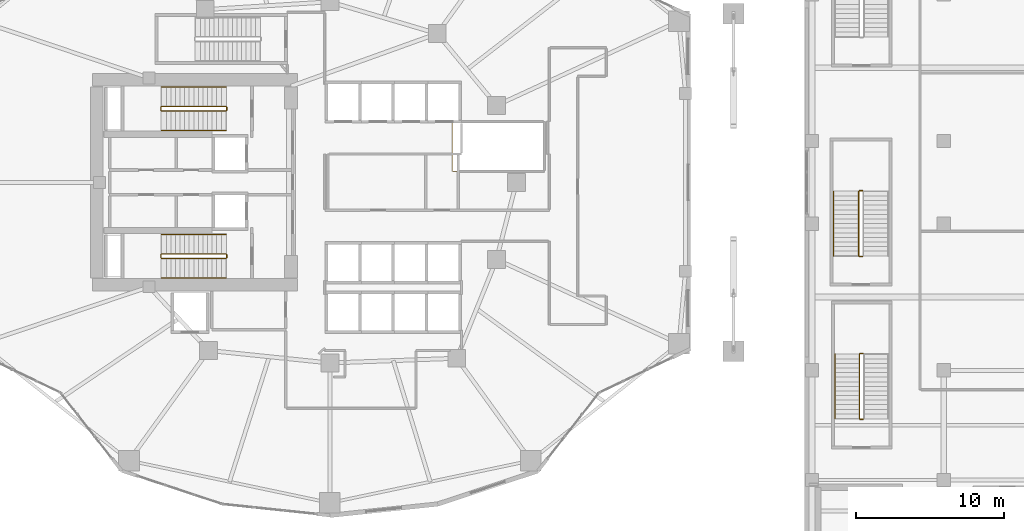
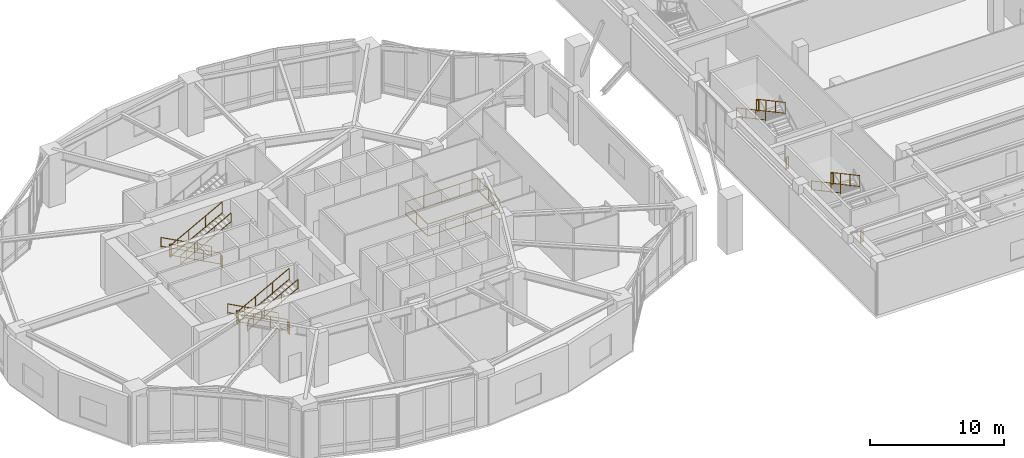
# One storey, part 22 of 24: 21 railings.
"""IFC4 building model written with IfcOpenShell, lengths in metres."""

from ifc_helpers import new_model, si_unit, direction, frame, origin, origin_2d, place, context, subcontext, project, spatial, rectangle, extrude, material, type_object, element, save


model = new_model("IFC4")

# Units and contexts
model_context = context("Model", 3, precision=1e-05, world=origin(), true_north=direction((0.0, 1.0)))
body_context = subcontext(model_context, "Body", "Model", "MODEL_VIEW")
ifc_project = project(units=[si_unit("LENGTHUNIT", "METRE"), si_unit("AREAUNIT", "SQUARE_METRE"), si_unit("VOLUMEUNIT", "CUBIC_METRE"), si_unit("PLANEANGLEUNIT", "RADIAN"), si_unit("MASSUNIT", "GRAM", prefix="KILO")], contexts=[model_context])

# Site, building, storey
site_placement = place(None, origin())
site = spatial("IfcSite", under=ifc_project, at=site_placement, CompositionType="ELEMENT")
building_placement = place(site_placement, origin())
building = spatial("IfcBuilding", under=site, at=building_placement, Name="Kolvaren Gate Tower and Convention Centre", CompositionType="ELEMENT")
storey_placement = place(building_placement, frame((0.0, 0.0, 10.0)))
storey = spatial("IfcBuildingStorey", under=building, at=storey_placement, Name="L02", CompositionType="ELEMENT", Elevation=10.0)

# Railings
ifc_material_1 = material(Name="Laminated Tempered Safety Glass Balustrade 21.5 mm", Category="glass")
railing_type_1 = type_object("IfcRailingType", Name="ARCH-RL-BALUST-1180", PredefinedType="BALUSTRADE", material=ifc_material_1)
railing_1_placement = place(storey_placement, frame((38.39990234375, 27.75, 0.0)))
element("IfcRailing", 1, at=railing_1_placement, inside=storey, type_object=railing_type_1, Name="Tower L02 Atrium Void Safety Balustrade", PredefinedType="BALUSTRADE", context=body_context, shape_type="SweptSolid", body=[
    extrude(rectangle(XDim=0.048095703125, YDim=0.048095703125, at=origin_2d()), frame((0.028076171875, 0.0, 1.15576171875), z_axis=(1.0, 0.0, 0.0), x_axis=(0.0, 1.0, 0.0)), (0.0, 0.0, 1.0), 6.14404296875),
    extrude(rectangle(XDim=0.048095703125, YDim=0.048095703125, at=origin_2d()), frame((0.028076171875, 0.0, 0.083984375), z_axis=(1.0, 0.0, 0.0), x_axis=(0.0, 1.0, 0.0)), (0.0, 0.0, 1.0), 6.14404296875),
    extrude(rectangle(XDim=0.048095703125, YDim=0.048095703125, at=origin_2d()), frame((6.2001953125, 0.028076171875, 1.15576171875), z_axis=(0.0, 1.0, 0.0), x_axis=(-1.0, 0.0, 0.0)), (0.0, 0.0, 1.0), 3.2939453125),
    extrude(rectangle(XDim=0.048095703125, YDim=0.048095703125, at=origin_2d()), frame((6.2001953125, 0.028076171875, 0.083984375), z_axis=(0.0, 1.0, 0.0), x_axis=(-1.0, 0.0, 0.0)), (0.0, 0.0, 1.0), 3.2939453125),
    extrude(rectangle(XDim=0.048095703125, YDim=0.048095703125, at=origin_2d()), frame((6.172119140625, 3.35009765625, 1.15576171875), z_axis=(-1.0, 0.0, 0.0), x_axis=(0.0, -1.0, 0.0)), (0.0, 0.0, 1.0), 6.14404296875),
    extrude(rectangle(XDim=0.048095703125, YDim=0.048095703125, at=origin_2d()), frame((6.172119140625, 3.35009765625, 0.083984375), z_axis=(-1.0, 0.0, 0.0), x_axis=(0.0, -1.0, 0.0)), (0.0, 0.0, 1.0), 6.14404296875),
    extrude(rectangle(XDim=0.048095703125, YDim=0.048095703125, at=origin_2d()), frame((0.0, 3.322021484375, 1.15576171875), z_axis=(0.0, -1.0, 0.0), x_axis=(1.0, 0.0, 0.0)), (0.0, 0.0, 1.0), 3.2939453125),
    extrude(rectangle(XDim=0.048095703125, YDim=0.048095703125, at=origin_2d()), frame((0.0, 3.322021484375, 0.083984375), z_axis=(0.0, -1.0, 0.0), x_axis=(1.0, 0.0, 0.0)), (0.0, 0.0, 1.0), 3.2939453125),
    extrude(rectangle(XDim=0.0419921875, YDim=0.0419921875, at=origin_2d()), origin(), (0.0, 0.0, 1.0), 1.179931640625),
    extrude(rectangle(XDim=0.0419921875, YDim=0.0419921875, at=origin_2d()), frame((6.2001953125, 0.0, 0.0)), (0.0, 0.0, 1.0), 1.179931640625),
    extrude(rectangle(XDim=0.0419921875, YDim=0.0419921875, at=origin_2d()), frame((1.550048828125, 0.0, 0.0)), (0.0, 0.0, 1.0), 1.1298828125),
    extrude(rectangle(XDim=0.0419921875, YDim=0.0419921875, at=origin_2d()), frame((3.10009765625, 0.0, 0.0)), (0.0, 0.0, 1.0), 1.1298828125),
    extrude(rectangle(XDim=0.0419921875, YDim=0.0419921875, at=origin_2d()), frame((4.650146484375, 0.0, 0.0)), (0.0, 0.0, 1.0), 1.1298828125),
    extrude(rectangle(XDim=0.0419921875, YDim=0.0419921875, at=origin_2d()), frame((6.2001953125, 3.35009765625, 0.0)), (0.0, 0.0, 1.0), 1.179931640625),
    extrude(rectangle(XDim=0.0419921875, YDim=0.0419921875, at=origin_2d()), frame((6.2001953125, 1.675048828125, 0.0)), (0.0, 0.0, 1.0), 1.1298828125),
    extrude(rectangle(XDim=0.0419921875, YDim=0.0419921875, at=origin_2d()), frame((0.0, 3.35009765625, 0.0)), (0.0, 0.0, 1.0), 1.179931640625),
    extrude(rectangle(XDim=0.0419921875, YDim=0.0419921875, at=origin_2d()), frame((4.650146484375, 3.35009765625, 0.0)), (0.0, 0.0, 1.0), 1.1298828125),
    extrude(rectangle(XDim=0.0419921875, YDim=0.0419921875, at=origin_2d()), frame((3.10009765625, 3.35009765625, 0.0)), (0.0, 0.0, 1.0), 1.1298828125),
    extrude(rectangle(XDim=0.0419921875, YDim=0.0419921875, at=origin_2d()), frame((1.550048828125, 3.35009765625, 0.0)), (0.0, 0.0, 1.0), 1.1298828125),
    extrude(rectangle(XDim=0.0419921875, YDim=0.0419921875, at=origin_2d()), frame((0.0, 1.675048828125, 0.0)), (0.0, 0.0, 1.0), 1.1298828125),
])
ifc_material_2 = material(Name="Brushed Stainless Steel Grade 316L", Category="steel")
railing_type_2 = type_object("IfcRailingType", Name="ARCH-RL-GUARD-1150", PredefinedType="GUARDRAIL", material=ifc_material_2)
railing_2_placement = place(storey_placement, frame((23.10009765625, 32.1298828125, 0.166748046875)))
element("IfcRailing", 2, at=railing_2_placement, inside=storey, type_object=railing_type_2, Name="L02 ST-T1 stair guard 1", PredefinedType="GUARDRAIL", context=body_context, shape_type="SweptSolid", body=[
    extrude(rectangle(XDim=0.048095703125, YDim=0.048095703125, at=origin_2d()), frame((0.0, 0.0, 1.076171875), z_axis=(-0.880785911426, 0.0, 0.473514707515), x_axis=(0.0, -1.0, 0.0)), (0.0, 0.0, 1.0), 4.927490234375),
    extrude(rectangle(XDim=0.048095703125, YDim=0.048095703125, at=origin_2d()), frame((0.0, 0.0, 0.083984375), z_axis=(-0.880785911426, 0.0, 0.473514707515), x_axis=(0.0, -1.0, 0.0)), (0.0, 0.0, 1.0), 4.927490234375),
    extrude(rectangle(XDim=0.0419921875, YDim=0.0419921875, at=origin_2d()), origin(), (0.0, 0.0, 1.0), 1.050048828125),
    extrude(rectangle(XDim=0.0419921875, YDim=0.0419921875, at=origin_2d()), frame((-4.340087890625, 0.0, 2.333251953125)), (0.0, 0.0, 1.0), 1.050048828125),
    extrude(rectangle(XDim=0.0419921875, YDim=0.0419921875, at=origin_2d()), frame((-1.44677734375, 0.0, 0.77783203125)), (0.0, 0.0, 1.0), 1.050048828125),
    extrude(rectangle(XDim=0.0419921875, YDim=0.0419921875, at=origin_2d()), frame((-2.893310546875, 0.0, 1.555419921875)), (0.0, 0.0, 1.0), 1.050048828125),
])
railing_3_placement = place(storey_placement, frame((18.7099609375, 32.080078125, 2.5)))
element("IfcRailing", 3, at=railing_3_placement, inside=storey, type_object=railing_type_2, Name="L02 ST-T1 stair guard 2", PredefinedType="GUARDRAIL", context=body_context, shape_type="SweptSolid", body=[
    extrude(rectangle(XDim=0.048095703125, YDim=0.048095703125, at=origin_2d()), frame((0.0, 0.0, 1.076171875), z_axis=(0.0, -1.0, 0.0), x_axis=(1.0, 0.0, 0.0)), (0.0, 0.0, 1.0), 0.2001953125),
    extrude(rectangle(XDim=0.048095703125, YDim=0.048095703125, at=origin_2d()), frame((0.0, 0.0, 0.083984375), z_axis=(0.0, -1.0, 0.0), x_axis=(1.0, 0.0, 0.0)), (0.0, 0.0, 1.0), 0.2001953125),
    extrude(rectangle(XDim=0.0419921875, YDim=0.0419921875, at=origin_2d()), origin(), (0.0, 0.0, 1.0), 1.050048828125),
    extrude(rectangle(XDim=0.0419921875, YDim=0.0419921875, at=origin_2d()), frame((0.0, -0.2001953125, 0.0)), (0.0, 0.0, 1.0), 1.050048828125),
])
railing_4_placement = place(storey_placement, frame((18.760009765625, 31.830078125, 2.666748046875)))
element("IfcRailing", 4, at=railing_4_placement, inside=storey, type_object=railing_type_2, Name="L02 ST-T1 stair guard 3", PredefinedType="GUARDRAIL", context=body_context, shape_type="SweptSolid", body=[
    extrude(rectangle(XDim=0.048095703125, YDim=0.048095703125, at=origin_2d()), frame((0.0, 0.0, 1.076171875), z_axis=(0.880785911426, 0.0, 0.473514707515), x_axis=(0.0, 1.0, 0.0)), (0.0, 0.0, 1.0), 4.927490234375),
    extrude(rectangle(XDim=0.048095703125, YDim=0.048095703125, at=origin_2d()), frame((0.0, 0.0, 0.083984375), z_axis=(0.880785911426, 0.0, 0.473514707515), x_axis=(0.0, 1.0, 0.0)), (0.0, 0.0, 1.0), 4.927490234375),
    extrude(rectangle(XDim=0.0419921875, YDim=0.0419921875, at=origin_2d()), origin(), (0.0, 0.0, 1.0), 1.050048828125),
    extrude(rectangle(XDim=0.0419921875, YDim=0.0419921875, at=origin_2d()), frame((4.340087890625, 0.0, 2.333251953125)), (0.0, 0.0, 1.0), 1.050048828125),
    extrude(rectangle(XDim=0.0419921875, YDim=0.0419921875, at=origin_2d()), frame((1.44677734375, 0.0, 0.77783203125)), (0.0, 0.0, 1.0), 1.050048828125),
    extrude(rectangle(XDim=0.0419921875, YDim=0.0419921875, at=origin_2d()), frame((2.893310546875, 0.0, 1.555419921875)), (0.0, 0.0, 1.0), 1.050048828125),
])
railing_5_placement = place(storey_placement, frame((23.14990234375, 32.080078125, 0.0)))
element("IfcRailing", 5, at=railing_5_placement, inside=storey, type_object=railing_type_2, Name="L02 ST-T1 stair guard 4", PredefinedType="GUARDRAIL", context=body_context, shape_type="SweptSolid", body=[
    extrude(rectangle(XDim=0.048095703125, YDim=0.048095703125, at=origin_2d()), frame((0.0, 0.0, 1.076171875), z_axis=(0.0, -1.0, 0.0), x_axis=(1.0, 0.0, 0.0)), (0.0, 0.0, 1.0), 0.2001953125),
    extrude(rectangle(XDim=0.048095703125, YDim=0.048095703125, at=origin_2d()), frame((0.0, 0.0, 0.083984375), z_axis=(0.0, -1.0, 0.0), x_axis=(1.0, 0.0, 0.0)), (0.0, 0.0, 1.0), 0.2001953125),
    extrude(rectangle(XDim=0.0419921875, YDim=0.0419921875, at=origin_2d()), origin(), (0.0, 0.0, 1.0), 1.050048828125),
    extrude(rectangle(XDim=0.0419921875, YDim=0.0419921875, at=origin_2d()), frame((0.0, -0.2001953125, 0.0)), (0.0, 0.0, 1.0), 1.050048828125),
])
railing_6_placement = place(storey_placement, frame((23.10009765625, 22.169921875, 0.166748046875)))
element("IfcRailing", 6, at=railing_6_placement, inside=storey, type_object=railing_type_2, Name="L02 ST-T2 stair guard 1", PredefinedType="GUARDRAIL", context=body_context, shape_type="SweptSolid", body=[
    extrude(rectangle(XDim=0.048095703125, YDim=0.048095703125, at=origin_2d()), frame((0.0, 0.0, 1.076171875), z_axis=(-0.880785911426, 0.0, 0.473514707515), x_axis=(0.0, -1.0, 0.0)), (0.0, 0.0, 1.0), 4.927490234375),
    extrude(rectangle(XDim=0.048095703125, YDim=0.048095703125, at=origin_2d()), frame((0.0, 0.0, 0.083984375), z_axis=(-0.880785911426, 0.0, 0.473514707515), x_axis=(0.0, -1.0, 0.0)), (0.0, 0.0, 1.0), 4.927490234375),
    extrude(rectangle(XDim=0.0419921875, YDim=0.0419921875, at=origin_2d()), origin(), (0.0, 0.0, 1.0), 1.050048828125),
    extrude(rectangle(XDim=0.0419921875, YDim=0.0419921875, at=origin_2d()), frame((-4.340087890625, 0.0, 2.333251953125)), (0.0, 0.0, 1.0), 1.050048828125),
    extrude(rectangle(XDim=0.0419921875, YDim=0.0419921875, at=origin_2d()), frame((-1.44677734375, 0.0, 0.77783203125)), (0.0, 0.0, 1.0), 1.050048828125),
    extrude(rectangle(XDim=0.0419921875, YDim=0.0419921875, at=origin_2d()), frame((-2.893310546875, 0.0, 1.555419921875)), (0.0, 0.0, 1.0), 1.050048828125),
])
railing_7_placement = place(storey_placement, frame((18.7099609375, 22.1201171875, 2.5)))
element("IfcRailing", 7, at=railing_7_placement, inside=storey, type_object=railing_type_2, Name="L02 ST-T2 stair guard 2", PredefinedType="GUARDRAIL", context=body_context, shape_type="SweptSolid", body=[
    extrude(rectangle(XDim=0.048095703125, YDim=0.048095703125, at=origin_2d()), frame((0.0, 0.0, 1.076171875), z_axis=(0.0, -1.0, 0.0), x_axis=(1.0, 0.0, 0.0)), (0.0, 0.0, 1.0), 0.2001953125),
    extrude(rectangle(XDim=0.048095703125, YDim=0.048095703125, at=origin_2d()), frame((0.0, 0.0, 0.083984375), z_axis=(0.0, -1.0, 0.0), x_axis=(1.0, 0.0, 0.0)), (0.0, 0.0, 1.0), 0.2001953125),
    extrude(rectangle(XDim=0.0419921875, YDim=0.0419921875, at=origin_2d()), origin(), (0.0, 0.0, 1.0), 1.050048828125),
    extrude(rectangle(XDim=0.0419921875, YDim=0.0419921875, at=origin_2d()), frame((0.0, -0.2001953125, 0.0)), (0.0, 0.0, 1.0), 1.050048828125),
])
railing_8_placement = place(storey_placement, frame((18.760009765625, 21.8701171875, 2.666748046875)))
element("IfcRailing", 8, at=railing_8_placement, inside=storey, type_object=railing_type_2, Name="L02 ST-T2 stair guard 3", PredefinedType="GUARDRAIL", context=body_context, shape_type="SweptSolid", body=[
    extrude(rectangle(XDim=0.048095703125, YDim=0.048095703125, at=origin_2d()), frame((0.0, 0.0, 1.076171875), z_axis=(0.880785911426, 0.0, 0.473514707515), x_axis=(0.0, 1.0, 0.0)), (0.0, 0.0, 1.0), 4.927490234375),
    extrude(rectangle(XDim=0.048095703125, YDim=0.048095703125, at=origin_2d()), frame((0.0, 0.0, 0.083984375), z_axis=(0.880785911426, 0.0, 0.473514707515), x_axis=(0.0, 1.0, 0.0)), (0.0, 0.0, 1.0), 4.927490234375),
    extrude(rectangle(XDim=0.0419921875, YDim=0.0419921875, at=origin_2d()), origin(), (0.0, 0.0, 1.0), 1.050048828125),
    extrude(rectangle(XDim=0.0419921875, YDim=0.0419921875, at=origin_2d()), frame((4.340087890625, 0.0, 2.333251953125)), (0.0, 0.0, 1.0), 1.050048828125),
    extrude(rectangle(XDim=0.0419921875, YDim=0.0419921875, at=origin_2d()), frame((1.44677734375, 0.0, 0.77783203125)), (0.0, 0.0, 1.0), 1.050048828125),
    extrude(rectangle(XDim=0.0419921875, YDim=0.0419921875, at=origin_2d()), frame((2.893310546875, 0.0, 1.555419921875)), (0.0, 0.0, 1.0), 1.050048828125),
])
railing_9_placement = place(storey_placement, frame((23.14990234375, 22.1201171875, 0.0)))
element("IfcRailing", 9, at=railing_9_placement, inside=storey, type_object=railing_type_2, Name="L02 ST-T2 stair guard 4", PredefinedType="GUARDRAIL", context=body_context, shape_type="SweptSolid", body=[
    extrude(rectangle(XDim=0.048095703125, YDim=0.048095703125, at=origin_2d()), frame((0.0, 0.0, 1.076171875), z_axis=(0.0, -1.0, 0.0), x_axis=(1.0, 0.0, 0.0)), (0.0, 0.0, 1.0), 0.2001953125),
    extrude(rectangle(XDim=0.048095703125, YDim=0.048095703125, at=origin_2d()), frame((0.0, 0.0, 0.083984375), z_axis=(0.0, -1.0, 0.0), x_axis=(1.0, 0.0, 0.0)), (0.0, 0.0, 1.0), 0.2001953125),
    extrude(rectangle(XDim=0.0419921875, YDim=0.0419921875, at=origin_2d()), origin(), (0.0, 0.0, 1.0), 1.050048828125),
    extrude(rectangle(XDim=0.0419921875, YDim=0.0419921875, at=origin_2d()), frame((0.0, -0.2001953125, 0.0)), (0.0, 0.0, 1.0), 1.050048828125),
])
railing_10_placement = place(storey_placement, frame((66.14990234375, 15.43994140625, 2.5)))
element("IfcRailing", 10, at=railing_10_placement, inside=storey, type_object=railing_type_2, Name="L02 ST-C2 stair guard 2", PredefinedType="GUARDRAIL", context=body_context, shape_type="SweptSolid", body=[
    extrude(rectangle(XDim=0.048095703125, YDim=0.048095703125, at=origin_2d()), frame((0.0, 0.0, 1.076171875), z_axis=(-1.0, 0.0, 0.0), x_axis=(0.0, -1.0, 0.0)), (0.0, 0.0, 1.0), 0.199951171875),
    extrude(rectangle(XDim=0.048095703125, YDim=0.048095703125, at=origin_2d()), frame((0.0, 0.0, 0.083984375), z_axis=(-1.0, 0.0, 0.0), x_axis=(0.0, -1.0, 0.0)), (0.0, 0.0, 1.0), 0.199951171875),
    extrude(rectangle(XDim=0.0419921875, YDim=0.0419921875, at=origin_2d()), origin(), (0.0, 0.0, 1.0), 1.050048828125),
    extrude(rectangle(XDim=0.0419921875, YDim=0.0419921875, at=origin_2d()), frame((-0.199951171875, 0.0, 0.0)), (0.0, 0.0, 1.0), 1.050048828125),
])
railing_11_placement = place(storey_placement, frame((65.89990234375, 15.389892578125, 2.666748046875)))
element("IfcRailing", 11, at=railing_11_placement, inside=storey, type_object=railing_type_2, Name="L02 ST-C2 stair guard 3", PredefinedType="GUARDRAIL", context=body_context, shape_type="SweptSolid", body=[
    extrude(rectangle(XDim=0.048095703125, YDim=0.048095703125, at=origin_2d()), frame((0.0, 0.0, 1.076171875), z_axis=(0.0, -0.8807748016, 0.47353537235), x_axis=(1.0, 0.0, 0.0)), (0.0, 0.0, 1.0), 4.92724609375),
    extrude(rectangle(XDim=0.048095703125, YDim=0.048095703125, at=origin_2d()), frame((0.0, 0.0, 0.083984375), z_axis=(0.0, -0.8807748016, 0.47353537235), x_axis=(1.0, 0.0, 0.0)), (0.0, 0.0, 1.0), 4.92724609375),
    extrude(rectangle(XDim=0.0419921875, YDim=0.0419921875, at=origin_2d()), origin(), (0.0, 0.0, 1.0), 1.050048828125),
    extrude(rectangle(XDim=0.0419921875, YDim=0.0419921875, at=origin_2d()), frame((0.0, -4.33984375, 2.333251953125)), (0.0, 0.0, 1.0), 1.050048828125),
    extrude(rectangle(XDim=0.0419921875, YDim=0.0419921875, at=origin_2d()), frame((0.0, -1.446533203125, 0.77783203125)), (0.0, 0.0, 1.0), 1.050048828125),
    extrude(rectangle(XDim=0.0419921875, YDim=0.0419921875, at=origin_2d()), frame((0.0, -2.893310546875, 1.555419921875)), (0.0, 0.0, 1.0), 1.050048828125),
])
railing_12_placement = place(storey_placement, frame((66.14990234375, 11.0, 0.0)))
element("IfcRailing", 12, at=railing_12_placement, inside=storey, type_object=railing_type_2, Name="L02 ST-C2 stair guard 4", PredefinedType="GUARDRAIL", context=body_context, shape_type="SweptSolid", body=[
    extrude(rectangle(XDim=0.048095703125, YDim=0.048095703125, at=origin_2d()), frame((0.0, 0.0, 1.076171875), z_axis=(-1.0, 0.0, 0.0), x_axis=(0.0, -1.0, 0.0)), (0.0, 0.0, 1.0), 0.199951171875),
    extrude(rectangle(XDim=0.048095703125, YDim=0.048095703125, at=origin_2d()), frame((0.0, 0.0, 0.083984375), z_axis=(-1.0, 0.0, 0.0), x_axis=(0.0, -1.0, 0.0)), (0.0, 0.0, 1.0), 0.199951171875),
    extrude(rectangle(XDim=0.0419921875, YDim=0.0419921875, at=origin_2d()), origin(), (0.0, 0.0, 1.0), 1.050048828125),
    extrude(rectangle(XDim=0.0419921875, YDim=0.0419921875, at=origin_2d()), frame((-0.199951171875, 0.0, 0.0)), (0.0, 0.0, 1.0), 1.050048828125),
])
railing_13_placement = place(storey_placement, frame((66.10009765625, 26.43994140625, 2.5)))
element("IfcRailing", 13, at=railing_13_placement, inside=storey, type_object=railing_type_2, Name="L02 ST-C5 stair guard 2", PredefinedType="GUARDRAIL", context=body_context, shape_type="SweptSolid", body=[
    extrude(rectangle(XDim=0.048095703125, YDim=0.048095703125, at=origin_2d()), frame((0.0, 0.0, 1.076171875), z_axis=(-1.0, 0.0, 0.0), x_axis=(0.0, -1.0, 0.0)), (0.0, 0.0, 1.0), 0.2001953125),
    extrude(rectangle(XDim=0.048095703125, YDim=0.048095703125, at=origin_2d()), frame((0.0, 0.0, 0.083984375), z_axis=(-1.0, 0.0, 0.0), x_axis=(0.0, -1.0, 0.0)), (0.0, 0.0, 1.0), 0.2001953125),
    extrude(rectangle(XDim=0.0419921875, YDim=0.0419921875, at=origin_2d()), origin(), (0.0, 0.0, 1.0), 1.050048828125),
    extrude(rectangle(XDim=0.0419921875, YDim=0.0419921875, at=origin_2d()), frame((-0.2001953125, 0.0, 0.0)), (0.0, 0.0, 1.0), 1.050048828125),
])
railing_14_placement = place(storey_placement, frame((65.85009765625, 26.389892578125, 2.666748046875)))
element("IfcRailing", 14, at=railing_14_placement, inside=storey, type_object=railing_type_2, Name="L02 ST-C5 stair guard 3", PredefinedType="GUARDRAIL", context=body_context, shape_type="SweptSolid", body=[
    extrude(rectangle(XDim=0.048095703125, YDim=0.048095703125, at=origin_2d()), frame((0.0, 0.0, 1.076171875), z_axis=(0.0, -0.8807748016, 0.47353537235), x_axis=(1.0, 0.0, 0.0)), (0.0, 0.0, 1.0), 4.92724609375),
    extrude(rectangle(XDim=0.048095703125, YDim=0.048095703125, at=origin_2d()), frame((0.0, 0.0, 0.083984375), z_axis=(0.0, -0.8807748016, 0.47353537235), x_axis=(1.0, 0.0, 0.0)), (0.0, 0.0, 1.0), 4.92724609375),
    extrude(rectangle(XDim=0.0419921875, YDim=0.0419921875, at=origin_2d()), origin(), (0.0, 0.0, 1.0), 1.050048828125),
    extrude(rectangle(XDim=0.0419921875, YDim=0.0419921875, at=origin_2d()), frame((0.0, -4.33984375, 2.333251953125)), (0.0, 0.0, 1.0), 1.050048828125),
    extrude(rectangle(XDim=0.0419921875, YDim=0.0419921875, at=origin_2d()), frame((0.0, -1.446533203125, 0.77783203125)), (0.0, 0.0, 1.0), 1.050048828125),
    extrude(rectangle(XDim=0.0419921875, YDim=0.0419921875, at=origin_2d()), frame((0.0, -2.893310546875, 1.555419921875)), (0.0, 0.0, 1.0), 1.050048828125),
])
railing_15_placement = place(storey_placement, frame((66.10009765625, 22.0, 0.0)))
element("IfcRailing", 15, at=railing_15_placement, inside=storey, type_object=railing_type_2, Name="L02 ST-C5 stair guard 4", PredefinedType="GUARDRAIL", context=body_context, shape_type="SweptSolid", body=[
    extrude(rectangle(XDim=0.048095703125, YDim=0.048095703125, at=origin_2d()), frame((0.0, 0.0, 1.076171875), z_axis=(-1.0, 0.0, 0.0), x_axis=(0.0, -1.0, 0.0)), (0.0, 0.0, 1.0), 0.2001953125),
    extrude(rectangle(XDim=0.048095703125, YDim=0.048095703125, at=origin_2d()), frame((0.0, 0.0, 0.083984375), z_axis=(-1.0, 0.0, 0.0), x_axis=(0.0, -1.0, 0.0)), (0.0, 0.0, 1.0), 0.2001953125),
    extrude(rectangle(XDim=0.0419921875, YDim=0.0419921875, at=origin_2d()), origin(), (0.0, 0.0, 1.0), 1.050048828125),
    extrude(rectangle(XDim=0.0419921875, YDim=0.0419921875, at=origin_2d()), frame((-0.2001953125, 0.0, 0.0)), (0.0, 0.0, 1.0), 1.050048828125),
])
railing_type_3 = type_object("IfcRailingType", Name="ARCH-RL-HANDRAIL-920", PredefinedType="HANDRAIL", material=ifc_material_2)
railing_16_placement = place(storey_placement, frame((23.10009765625, 33.449951171875, 0.166748046875)))
element("IfcRailing", 16, at=railing_16_placement, inside=storey, type_object=railing_type_3, Name="L02 ST-T1 stair handrail 1", PredefinedType="HANDRAIL", context=body_context, shape_type="SweptSolid", body=[
    extrude(rectangle(XDim=0.048095703125, YDim=0.048095703125, at=origin_2d()), frame((0.0, 0.0, 0.8759765625), z_axis=(-0.880785911426, 0.0, 0.473514707515), x_axis=(0.0, -1.0, 0.0)), (0.0, 0.0, 1.0), 4.927490234375),
    extrude(rectangle(XDim=0.048095703125, YDim=0.048095703125, at=origin_2d()), frame((0.0, 0.0, 0.083984375), z_axis=(-0.880785911426, 0.0, 0.473514707515), x_axis=(0.0, -1.0, 0.0)), (0.0, 0.0, 1.0), 4.927490234375),
    extrude(rectangle(XDim=0.0419921875, YDim=0.0419921875, at=origin_2d()), origin(), (0.0, 0.0, 1.0), 0.849853515625),
    extrude(rectangle(XDim=0.0419921875, YDim=0.0419921875, at=origin_2d()), frame((-4.340087890625, 0.0, 2.333251953125)), (0.0, 0.0, 1.0), 0.849853515625),
    extrude(rectangle(XDim=0.0419921875, YDim=0.0419921875, at=origin_2d()), frame((-1.44677734375, 0.0, 0.77783203125)), (0.0, 0.0, 1.0), 0.849853515625),
    extrude(rectangle(XDim=0.0419921875, YDim=0.0419921875, at=origin_2d()), frame((-2.893310546875, 0.0, 1.555419921875)), (0.0, 0.0, 1.0), 0.849853515625),
])
railing_17_placement = place(storey_placement, frame((18.760009765625, 30.510009765625, 2.666748046875)))
element("IfcRailing", 17, at=railing_17_placement, inside=storey, type_object=railing_type_3, Name="L02 ST-T1 stair handrail 2", PredefinedType="HANDRAIL", context=body_context, shape_type="SweptSolid", body=[
    extrude(rectangle(XDim=0.048095703125, YDim=0.048095703125, at=origin_2d()), frame((0.0, 0.0, 0.8759765625), z_axis=(0.880785911426, 0.0, 0.473514707515), x_axis=(0.0, 1.0, 0.0)), (0.0, 0.0, 1.0), 4.927490234375),
    extrude(rectangle(XDim=0.048095703125, YDim=0.048095703125, at=origin_2d()), frame((0.0, 0.0, 0.083984375), z_axis=(0.880785911426, 0.0, 0.473514707515), x_axis=(0.0, 1.0, 0.0)), (0.0, 0.0, 1.0), 4.927490234375),
    extrude(rectangle(XDim=0.0419921875, YDim=0.0419921875, at=origin_2d()), origin(), (0.0, 0.0, 1.0), 0.849853515625),
    extrude(rectangle(XDim=0.0419921875, YDim=0.0419921875, at=origin_2d()), frame((4.340087890625, 0.0, 2.333251953125)), (0.0, 0.0, 1.0), 0.849853515625),
    extrude(rectangle(XDim=0.0419921875, YDim=0.0419921875, at=origin_2d()), frame((1.44677734375, 0.0, 0.77783203125)), (0.0, 0.0, 1.0), 0.849853515625),
    extrude(rectangle(XDim=0.0419921875, YDim=0.0419921875, at=origin_2d()), frame((2.893310546875, 0.0, 1.555419921875)), (0.0, 0.0, 1.0), 0.849853515625),
])
railing_18_placement = place(storey_placement, frame((23.10009765625, 23.489990234375, 0.166748046875)))
element("IfcRailing", 18, at=railing_18_placement, inside=storey, type_object=railing_type_3, Name="L02 ST-T2 stair handrail 1", PredefinedType="HANDRAIL", context=body_context, shape_type="SweptSolid", body=[
    extrude(rectangle(XDim=0.048095703125, YDim=0.048095703125, at=origin_2d()), frame((0.0, 0.0, 0.8759765625), z_axis=(-0.880785911426, 0.0, 0.473514707515), x_axis=(0.0, -1.0, 0.0)), (0.0, 0.0, 1.0), 4.927490234375),
    extrude(rectangle(XDim=0.048095703125, YDim=0.048095703125, at=origin_2d()), frame((0.0, 0.0, 0.083984375), z_axis=(-0.880785911426, 0.0, 0.473514707515), x_axis=(0.0, -1.0, 0.0)), (0.0, 0.0, 1.0), 4.927490234375),
    extrude(rectangle(XDim=0.0419921875, YDim=0.0419921875, at=origin_2d()), origin(), (0.0, 0.0, 1.0), 0.849853515625),
    extrude(rectangle(XDim=0.0419921875, YDim=0.0419921875, at=origin_2d()), frame((-4.340087890625, 0.0, 2.333251953125)), (0.0, 0.0, 1.0), 0.849853515625),
    extrude(rectangle(XDim=0.0419921875, YDim=0.0419921875, at=origin_2d()), frame((-1.44677734375, 0.0, 0.77783203125)), (0.0, 0.0, 1.0), 0.849853515625),
    extrude(rectangle(XDim=0.0419921875, YDim=0.0419921875, at=origin_2d()), frame((-2.893310546875, 0.0, 1.555419921875)), (0.0, 0.0, 1.0), 0.849853515625),
])
railing_19_placement = place(storey_placement, frame((18.760009765625, 20.550048828125, 2.666748046875)))
element("IfcRailing", 19, at=railing_19_placement, inside=storey, type_object=railing_type_3, Name="L02 ST-T2 stair handrail 2", PredefinedType="HANDRAIL", context=body_context, shape_type="SweptSolid", body=[
    extrude(rectangle(XDim=0.048095703125, YDim=0.048095703125, at=origin_2d()), frame((0.0, 0.0, 0.8759765625), z_axis=(0.880785911426, 0.0, 0.473514707515), x_axis=(0.0, 1.0, 0.0)), (0.0, 0.0, 1.0), 4.927490234375),
    extrude(rectangle(XDim=0.048095703125, YDim=0.048095703125, at=origin_2d()), frame((0.0, 0.0, 0.083984375), z_axis=(0.880785911426, 0.0, 0.473514707515), x_axis=(0.0, 1.0, 0.0)), (0.0, 0.0, 1.0), 4.927490234375),
    extrude(rectangle(XDim=0.0419921875, YDim=0.0419921875, at=origin_2d()), origin(), (0.0, 0.0, 1.0), 0.849853515625),
    extrude(rectangle(XDim=0.0419921875, YDim=0.0419921875, at=origin_2d()), frame((4.340087890625, 0.0, 2.333251953125)), (0.0, 0.0, 1.0), 0.849853515625),
    extrude(rectangle(XDim=0.0419921875, YDim=0.0419921875, at=origin_2d()), frame((1.44677734375, 0.0, 0.77783203125)), (0.0, 0.0, 1.0), 0.849853515625),
    extrude(rectangle(XDim=0.0419921875, YDim=0.0419921875, at=origin_2d()), frame((2.893310546875, 0.0, 1.555419921875)), (0.0, 0.0, 1.0), 0.849853515625),
])
for number, where, name in (
    (20, (64.25, 15.389892578125, 2.666748046875), "L02 ST-C2 stair handrail 2"),
    (21, (64.14990234375, 26.389892578125, 2.666748046875), "L02 ST-C5 stair handrail 2"),
):
    element("IfcRailing", number, at=place(storey_placement, frame(where)), inside=storey, type_object=railing_type_3, Name=name, PredefinedType="HANDRAIL", context=body_context, shape_type="SweptSolid", body=[
        extrude(rectangle(XDim=0.048095703125, YDim=0.048095703125, at=origin_2d()), frame((0.0, 0.0, 0.8759765625), z_axis=(0.0, -0.8807748016, 0.47353537235), x_axis=(1.0, 0.0, 0.0)), (0.0, 0.0, 1.0), 4.92724609375),
        extrude(rectangle(XDim=0.048095703125, YDim=0.048095703125, at=origin_2d()), frame((0.0, 0.0, 0.083984375), z_axis=(0.0, -0.8807748016, 0.47353537235), x_axis=(1.0, 0.0, 0.0)), (0.0, 0.0, 1.0), 4.92724609375),
        extrude(rectangle(XDim=0.0419921875, YDim=0.0419921875, at=origin_2d()), origin(), (0.0, 0.0, 1.0), 0.849853515625),
        extrude(rectangle(XDim=0.0419921875, YDim=0.0419921875, at=origin_2d()), frame((0.0, -4.33984375, 2.333251953125)), (0.0, 0.0, 1.0), 0.849853515625),
        extrude(rectangle(XDim=0.0419921875, YDim=0.0419921875, at=origin_2d()), frame((0.0, -1.446533203125, 0.77783203125)), (0.0, 0.0, 1.0), 0.849853515625),
        extrude(rectangle(XDim=0.0419921875, YDim=0.0419921875, at=origin_2d()), frame((0.0, -2.893310546875, 1.555419921875)), (0.0, 0.0, 1.0), 0.849853515625),
    ])

save(model, "model.ifc")
